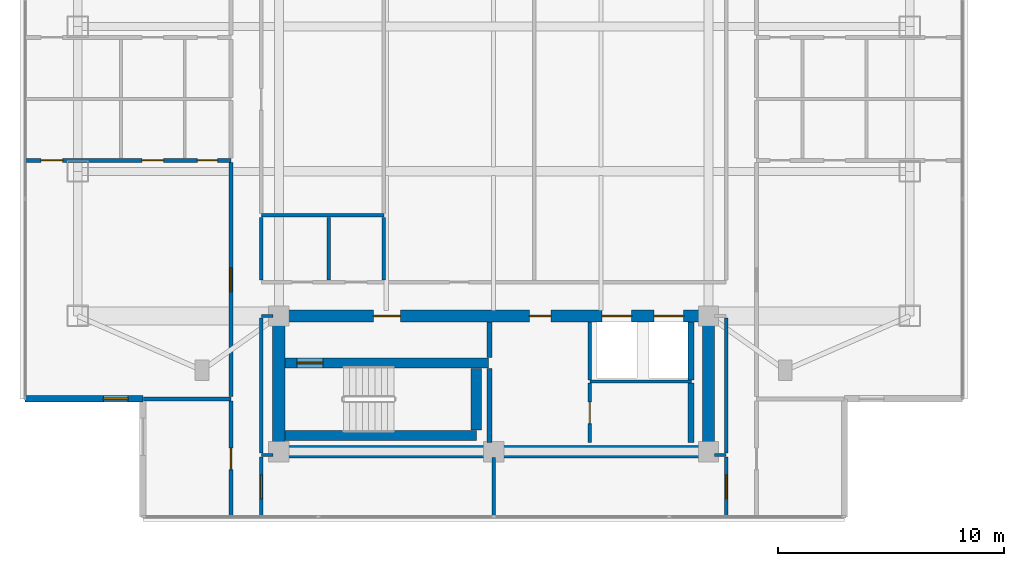
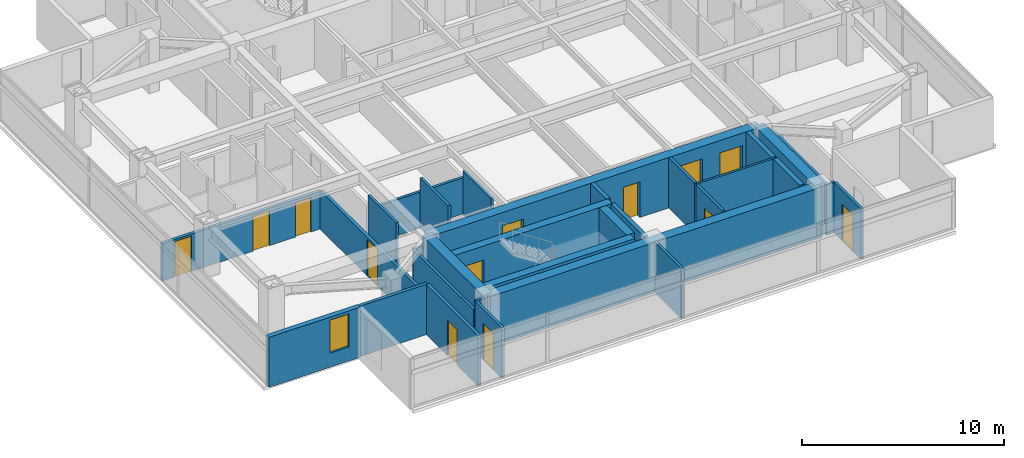
# One storey, part 12 of 24: 31 walls, 13 doors, 1 window, 14 openings.
"""IFC4 building model written with IfcOpenShell, lengths in metres."""

from ifc_helpers import new_model, si_unit, direction, frame, frame_2d, origin, place, context, subcontext, project, spatial, rectangle, extrude, material, layer, layer_set, type_object, element, fill, save


model = new_model("IFC4")

# Units and contexts
model_context = context("Model", 3, precision=1e-05, world=origin(), true_north=direction((0.0, 1.0)))
body_context = subcontext(model_context, "Body", "Model", "MODEL_VIEW")
ifc_project = project(units=[si_unit("LENGTHUNIT", "METRE"), si_unit("AREAUNIT", "SQUARE_METRE"), si_unit("VOLUMEUNIT", "CUBIC_METRE"), si_unit("PLANEANGLEUNIT", "RADIAN"), si_unit("MASSUNIT", "GRAM", prefix="KILO")], contexts=[model_context])

# Site, building, storey
site_placement = place(None, origin())
site = spatial("IfcSite", under=ifc_project, at=site_placement, CompositionType="ELEMENT")
building_placement = place(site_placement, origin())
building = spatial("IfcBuilding", under=site, at=building_placement, Name="Mirazonda Arch Towers", CompositionType="ELEMENT")
storey_placement = place(building_placement, frame((0.0, 0.0, 199.89990234375)))
storey = spatial("IfcBuildingStorey", under=building, at=storey_placement, Name="L57", CompositionType="ELEMENT", Elevation=199.89990234375)

# Wall
ifc_material_1 = material(Name="Concrete C50/60", Category="concrete")
ifc_layer_1 = layer(ifc_material_1, 0.449951171875, Name="WALL-CORE-450")
ifc_layer_set_1 = layer_set([ifc_layer_1], Name="Concrete C50/60")
wall_type_1 = type_object("IfcWallType", Name="WALL-CORE-450", PredefinedType="SHEAR", material=ifc_layer_set_1)
wall_1_placement = place(storey_placement, frame((11.27001953125, 13.1201171875, 0.0), z_axis=(0.0, 0.0, 1.0), x_axis=(1.0, 0.0, 0.0)))
element("IfcWall", 1, at=wall_1_placement, inside=storey, type_object=wall_type_1, Name="L57 Stair Core Shear Wall 003", PredefinedType="SHEAR", context=body_context, shape_type="SweptSolid", body=[
    extrude(rectangle(XDim=8.4599609375, YDim=0.449951171875, at=frame_2d((4.22998046875, 0.0))), origin(), (0.0, 0.0, 1.0), 3.050048828125),
])

# Wall, opening, door
wall_2_placement = place(storey_placement, frame((11.27001953125, 16.320068359375, 0.0), z_axis=(0.0, 0.0, 1.0), x_axis=(1.0, 0.0, 0.0)))
wall_2 = element("IfcWall", 2, at=wall_2_placement, inside=storey, type_object=wall_type_1, Name="L57 Stair Core Shear Wall 007", PredefinedType="SHEAR", context=body_context, shape_type="SweptSolid", body=[
    extrude(rectangle(XDim=9.010009765625, YDim=0.449951171875, at=frame_2d((4.5048828125, 0.0))), origin(), (0.0, 0.0, 1.0), 3.050048828125),
])
opening_1_placement = place(wall_2_placement, frame((0.52001953125, 0.0, 0.0)))
opening_1 = element("IfcOpeningElement", 3, at=opening_1_placement, cuts=wall_2, Name="Opening DR-135", PredefinedType="OPENING", context=body_context, shape_type="SweptSolid", body=[
    extrude(rectangle(XDim=1.14990234375, YDim=2.199951171875, at=frame_2d((0.574951171875, 1.10009765625))), frame((0.0, 0.23486328125, 0.0), z_axis=(0.0, -1.0, 0.0), x_axis=(1.0, 0.0, 0.0)), (0.0, 0.0, 1.0), 0.469970703125),
])
ifc_material_2 = material(Name="Architectural Brushed Steel S355", Category="steel")
door_type_1 = type_object("IfcDoorType", Name="DOOR-STAIR-FD90-1150", OperationType="NOTDEFINED", PredefinedType="DOOR", material=ifc_material_2)
door_1_placement = place(opening_1_placement, origin())
door_1 = element("IfcDoor", 4, at=door_1_placement, inside=storey, type_object=door_type_1, Name="L57 Protected Exit Stair South Door", OperationType="SINGLE_SWING_LEFT", OverallHeight=2.199951171875, OverallWidth=1.14990234375, PredefinedType="DOOR", context=body_context, shape_type="SweptSolid", body=[
    extrude(rectangle(XDim=1.14990234375, YDim=2.199951171875, at=frame_2d((0.574951171875, 1.10009765625))), frame((0.0, 0.02490234375, 0.0), z_axis=(0.0, -1.0, 0.0), x_axis=(1.0, 0.0, 0.0)), (0.0, 0.0, 1.0), 0.050048828125),
])
fill(opening_1, door_1)

# Walls
wall_3_placement = place(storey_placement, frame((19.72998046875, 13.35498046875, 0.0), z_axis=(0.0, 0.0, 1.0), x_axis=(0.0, 1.0, 0.0)))
element("IfcWall", 5, at=wall_3_placement, inside=storey, type_object=wall_type_1, Name="L57 Stair Core Shear Wall 075", PredefinedType="SHEAR", context=body_context, shape_type="SweptSolid", body=[
    extrude(rectangle(XDim=2.72998046875, YDim=0.449951171875, at=frame_2d((1.364990234375, 0.0))), origin(), (0.0, 0.0, 1.0), 3.050048828125),
])
ifc_layer_2 = layer(ifc_material_1, 0.550048828125, Name="WALL-CORE-550")
ifc_layer_set_2 = layer_set([ifc_layer_2], Name="Concrete C50/60")
wall_type_2 = type_object("IfcWallType", Name="WALL-CORE-550", PredefinedType="SHEAR", material=ifc_layer_set_2)
wall_4_placement = place(storey_placement, frame((11.0, 12.39990234375, 0.0), z_axis=(0.0, 0.0, 1.0), x_axis=(1.0, 0.0, 0.0)))
element("IfcWall", 6, at=wall_4_placement, inside=storey, type_object=wall_type_2, Name="L57 T1S-S Core Shear Wall", PredefinedType="SHEAR", context=body_context, shape_type="SweptSolid", body=[
    extrude(rectangle(XDim=19.0, YDim=0.550048828125, at=frame_2d((9.5, 0.0))), origin(), (0.0, 0.0, 1.0), 3.050048828125),
])
for number, where, z_axis, x_axis, name in (
    (7, (11.0, 12.39990234375, 0.0), (0.0, 0.0, 1.0), (0.0, 1.0, 0.0), "L57 T1S-W Core Shear Wall"),
    (8, (30.0, 12.39990234375, 0.0), (0.0, 0.0, 1.0), (0.0, 1.0, 0.0), "L57 T1S-E Core Shear Wall"),
):
    element("IfcWall", number, at=place(storey_placement, frame(where, z_axis=z_axis, x_axis=x_axis)), inside=storey, type_object=wall_type_2, Name=name, PredefinedType="SHEAR", context=body_context, shape_type="SweptSolid", body=[
        extrude(rectangle(XDim=6.0, YDim=0.550048828125, at=frame_2d((3.0, 0.0))), origin(), (0.0, 0.0, 1.0), 3.050048828125),
    ])

# Wall, openings, doors
wall_5_placement = place(storey_placement, frame((11.0, 18.39990234375, 0.0), z_axis=(0.0, 0.0, 1.0), x_axis=(1.0, 0.0, 0.0)))
wall_5 = element("IfcWall", 9, at=wall_5_placement, inside=storey, type_object=wall_type_2, Name="L57 T1S-N Core Shear Wall", PredefinedType="SHEAR", context=body_context, shape_type="SweptSolid", body=[
    extrude(rectangle(XDim=19.0, YDim=0.550048828125, at=frame_2d((9.5, 0.0))), origin(), (0.0, 0.0, 1.0), 3.050048828125),
])
opening_2_placement = place(wall_5_placement, frame((4.175048828125, 0.0, 0.0)))
opening_2 = element("IfcOpeningElement", 10, at=opening_2_placement, cuts=wall_5, Name="Opening DR-117", PredefinedType="OPENING", context=body_context, shape_type="SweptSolid", body=[
    extrude(rectangle(XDim=1.199951171875, YDim=2.25, at=frame_2d((0.60009765625, 1.125))), frame((0.0, 0.284912109375, 0.0), z_axis=(0.0, -1.0, 0.0), x_axis=(1.0, 0.0, 0.0)), (0.0, 0.0, 1.0), 0.570068359375),
])
opening_3_placement = place(wall_5_placement, frame((11.074951171875, 0.0, 0.0)))
opening_3 = element("IfcOpeningElement", 11, at=opening_3_placement, cuts=wall_5, Name="Opening DR-104", PredefinedType="OPENING", context=body_context, shape_type="SweptSolid", body=[
    extrude(rectangle(XDim=0.949951171875, YDim=2.14990234375, at=frame_2d((0.47509765625, 1.074951171875))), frame((0.0, 0.284912109375, 0.0), z_axis=(0.0, -1.0, 0.0), x_axis=(1.0, 0.0, 0.0)), (0.0, 0.0, 1.0), 0.570068359375),
])
opening_4_placement = place(wall_5_placement, frame((14.300048828125, 0.0, 0.0)))
opening_4 = element("IfcOpeningElement", 12, at=opening_4_placement, cuts=wall_5, Name="Opening LD-111", PredefinedType="OPENING", context=body_context, shape_type="SweptSolid", body=[
    extrude(rectangle(XDim=1.300048828125, YDim=2.300048828125, at=frame_2d((0.64990234375, 1.14990234375))), frame((0.0, 0.284912109375, 0.0), z_axis=(0.0, -1.0, 0.0), x_axis=(1.0, 0.0, 0.0)), (0.0, 0.0, 1.0), 0.570068359375),
])
opening_5_placement = place(wall_5_placement, frame((16.60009765625, 0.0, 0.0)))
opening_5 = element("IfcOpeningElement", 13, at=opening_5_placement, cuts=wall_5, Name="Opening LD-111", PredefinedType="OPENING", context=body_context, shape_type="SweptSolid", body=[
    extrude(rectangle(XDim=1.300048828125, YDim=2.300048828125, at=frame_2d((0.64990234375, 1.14990234375))), frame((0.0, 0.284912109375, 0.0), z_axis=(0.0, -1.0, 0.0), x_axis=(1.0, 0.0, 0.0)), (0.0, 0.0, 1.0), 0.570068359375),
])
door_type_2 = type_object("IfcDoorType", Name="DOOR-FFL-FD90-1200", OperationType="NOTDEFINED", PredefinedType="DOOR", material=ifc_material_2)
door_2_placement = place(opening_2_placement, origin())
door_2 = element("IfcDoor", 14, at=door_2_placement, inside=storey, type_object=door_type_2, Name="L57 South Core Stair & Lift Lobby Door", OperationType="SINGLE_SWING_RIGHT", OverallHeight=2.25, OverallWidth=1.199951171875, PredefinedType="DOOR", context=body_context, shape_type="SweptSolid", body=[
    extrude(rectangle(XDim=1.199951171875, YDim=2.25, at=frame_2d((0.60009765625, 1.125))), frame((0.0, 0.02490234375, 0.0), z_axis=(0.0, -1.0, 0.0), x_axis=(1.0, 0.0, 0.0)), (0.0, 0.0, 1.0), 0.050048828125),
])
fill(opening_2, door_2)
door_type_3 = type_object("IfcDoorType", Name="DOOR-LIFT-LAND-1300", OperationType="NOTDEFINED", PredefinedType="DOOR", material=ifc_material_2)
door_3_placement = place(opening_4_placement, origin())
door_3 = element("IfcDoor", 15, at=door_3_placement, inside=storey, type_object=door_type_3, Name="L57 Lift Landing Sliding Door PL-T1H1", OperationType="DOUBLE_DOOR_SLIDING", OverallHeight=2.300048828125, OverallWidth=1.300048828125, PredefinedType="DOOR", context=body_context, shape_type="SweptSolid", body=[
    extrude(rectangle(XDim=1.300048828125, YDim=2.300048828125, at=frame_2d((0.64990234375, 1.14990234375))), frame((0.0, 0.02490234375, 0.0), z_axis=(0.0, -1.0, 0.0), x_axis=(1.0, 0.0, 0.0)), (0.0, 0.0, 1.0), 0.050048828125),
])
fill(opening_4, door_3)
door_4_placement = place(opening_5_placement, origin())
door_4 = element("IfcDoor", 16, at=door_4_placement, inside=storey, type_object=door_type_3, Name="L57 Lift Landing Sliding Door PL-T1H2", OperationType="DOUBLE_DOOR_SLIDING", OverallHeight=2.300048828125, OverallWidth=1.300048828125, PredefinedType="DOOR", context=body_context, shape_type="SweptSolid", body=[
    extrude(rectangle(XDim=1.300048828125, YDim=2.300048828125, at=frame_2d((0.64990234375, 1.14990234375))), frame((0.0, 0.02490234375, 0.0), z_axis=(0.0, -1.0, 0.0), x_axis=(1.0, 0.0, 0.0)), (0.0, 0.0, 1.0), 0.050048828125),
])
fill(opening_5, door_4)
door_type_4 = type_object("IfcDoorType", Name="DOOR-ROOM-950", OperationType="NOTDEFINED", PredefinedType="DOOR", material=ifc_material_2)
door_5_placement = place(opening_3_placement, origin())
door_5 = element("IfcDoor", 17, at=door_5_placement, inside=storey, type_object=door_type_4, Name="L57 Residents Wine Tasting Lounge Door", OperationType="SINGLE_SWING_RIGHT", OverallHeight=2.14990234375, OverallWidth=0.949951171875, PredefinedType="DOOR", context=body_context, shape_type="SweptSolid", body=[
    extrude(rectangle(XDim=0.949951171875, YDim=2.14990234375, at=frame_2d((0.47509765625, 1.074951171875))), frame((0.0, 0.02490234375, 0.0), z_axis=(0.0, -1.0, 0.0), x_axis=(1.0, 0.0, 0.0)), (0.0, 0.0, 1.0), 0.050048828125),
])
fill(opening_3, door_5)

# Wall, opening, window
ifc_material_3 = material(Name="Precast Concrete C40/50", Category="concrete")
ifc_layer_3 = layer(ifc_material_3, 0.280029296875, Name="WALL-EXT-WALL-280")
ifc_layer_set_3 = layer_set([ifc_layer_3], Name="Precast Concrete C40/50")
wall_type_3 = type_object("IfcWallType", Name="WALL-EXT-WALL-280", PredefinedType="SOLIDWALL", material=ifc_layer_set_3)
wall_6_placement = place(storey_placement, frame((-0.22998046875, 14.735107421875, 0.0), z_axis=(0.0, 0.0, 1.0), x_axis=(1.0, 0.0, 0.0)))
wall_6 = element("IfcWall", 18, at=wall_6_placement, inside=storey, type_object=wall_type_3, Name="L57 T1 Corner Notch Return Wall WL-L57-T1-CSW2", PredefinedType="SOLIDWALL", context=body_context, shape_type="SweptSolid", body=[
    extrude(rectangle(XDim=5.215087890625, YDim=0.280029296875, at=frame_2d((2.607421875, 0.0))), origin(), (0.0, 0.0, 1.0), 3.030029296875),
])
opening_6_placement = place(wall_6_placement, frame((3.465087890625, 0.0, 0.85009765625)))
opening_6 = element("IfcOpeningElement", 19, at=opening_6_placement, cuts=wall_6, Name="Opening WN-108", PredefinedType="OPENING", context=body_context, shape_type="SweptSolid", body=[
    extrude(rectangle(XDim=1.10009765625, YDim=2.0, at=frame_2d((0.550048828125, 1.0))), frame((0.0, 0.14990234375, 0.0), z_axis=(0.0, -1.0, 0.0), x_axis=(1.0, 0.0, 0.0)), (0.0, 0.0, 1.0), 0.300048828125),
])
ifc_material_4 = material(Name="Insulated Low-E Solar Glass", Category="glass")
window_type = type_object("IfcWindowType", Name="WIN-NOTCH-1100x2000", PartitioningType="SINGLE_PANEL", PredefinedType="WINDOW", material=ifc_material_4)
window_placement = place(opening_6_placement, origin())
window = element("IfcWindow", 20, at=window_placement, inside=storey, type_object=window_type, Name="L57 Punched Facade Window WN-L57-T1-CSW2", OverallHeight=2.0, OverallWidth=1.10009765625, PartitioningType="SINGLE_PANEL", PredefinedType="WINDOW", context=body_context, shape_type="SweptSolid", body=[
    extrude(rectangle(XDim=1.10009765625, YDim=2.0, at=frame_2d((0.550048828125, 1.0))), frame((0.0, 0.030029296875, 0.0), z_axis=(0.0, -1.0, 0.0), x_axis=(1.0, 0.0, 0.0)), (0.0, 0.0, 1.0), 0.06005859375),
])
fill(opening_6, window)

# Walls
ifc_material_5 = material(Name="Concrete C40/50", Category="concrete")
ifc_layer_4 = layer(ifc_material_5, 0.219970703125, Name="WALL-FFL-220")
ifc_layer_set_4 = layer_set([ifc_layer_4], Name="Concrete C40/50")
wall_type_4 = type_object("IfcWallType", Name="WALL-FFL-220", PredefinedType="SOLIDWALL", material=ifc_layer_set_4)
wall_7_placement = place(storey_placement, frame((20.31494140625, 12.800048828125, 0.0), z_axis=(0.0, 0.0, 1.0), x_axis=(0.0, 1.0, 0.0)))
element("IfcWall", 21, at=wall_7_placement, inside=storey, type_object=wall_type_4, Name="L57 Interior Partition 077", PredefinedType="SOLIDWALL", context=body_context, shape_type="SweptSolid", body=[
    extrude(rectangle(XDim=3.284912109375, YDim=0.219970703125, at=frame_2d((1.642578125, 0.0))), origin(), (0.0, 0.0, 1.0), 3.050048828125),
])
wall_8_placement = place(storey_placement, frame((20.31494140625, 16.554931640625, 0.0), z_axis=(0.0, 0.0, 1.0), x_axis=(0.0, 1.0, 0.0)))
element("IfcWall", 22, at=wall_8_placement, inside=storey, type_object=wall_type_4, Name="L57 Interior Partition 078", PredefinedType="SOLIDWALL", context=body_context, shape_type="SweptSolid", body=[
    extrude(rectangle(XDim=1.574951171875, YDim=0.219970703125, at=frame_2d((0.78759765625, 0.0))), origin(), (0.0, 0.0, 1.0), 3.050048828125),
])
ifc_material_6 = material(Name="Fire-Rated Gypsum Stud Partition")
ifc_layer_5 = layer(ifc_material_6, 0.14990234375, Name="WALL-PART-CORR-150")
ifc_layer_set_5 = layer_set([ifc_layer_5], Name="Fire-Rated Gypsum Stud Partition")
wall_type_5 = type_object("IfcWallType", Name="WALL-PART-CORR-150", PredefinedType="PARTITIONING", material=ifc_layer_set_5)
for number, where, z_axis, x_axis, name in (
    (23, (10.219970703125, 12.25, 0.0), (0.0, 0.0, 1.0), (1.0, 0.0, 0.0), "L57 Interior Partition 001"),
    (24, (30.27001953125, 12.25, 0.0), (0.0, 0.0, 1.0), (1.0, 0.0, 0.0), "L57 Interior Partition 002"),
):
    element("IfcWall", number, at=place(storey_placement, frame(where, z_axis=z_axis, x_axis=x_axis)), inside=storey, type_object=wall_type_5, Name=name, PredefinedType="PARTITIONING", context=body_context, shape_type="SweptSolid", body=[
        extrude(rectangle(XDim=0.510009765625, YDim=0.14990234375, at=frame_2d((0.2548828125, 0.0))), origin(), (0.0, 0.0, 1.0), 3.050048828125),
    ])
wall_9_placement = place(storey_placement, frame((10.219970703125, 18.39990234375, 0.0), z_axis=(0.0, 0.0, 1.0), x_axis=(1.0, 0.0, 0.0)))
element("IfcWall", 25, at=wall_9_placement, inside=storey, type_object=wall_type_5, Name="L57 Interior Partition 011", PredefinedType="PARTITIONING", context=body_context, shape_type="SweptSolid", body=[
    extrude(rectangle(XDim=0.510009765625, YDim=0.14990234375, at=frame_2d((0.2548828125, 0.0))), origin(), (0.0, 0.0, 1.0), 2.442138671875),
])
wall_10_placement = place(storey_placement, frame((10.219970703125, 22.85009765625, 0.0), z_axis=(0.0, 0.0, 1.0), x_axis=(1.0, 0.0, 0.0)))
element("IfcWall", 26, at=wall_10_placement, inside=storey, type_object=wall_type_5, Name="L57 Interior Partition 022", PredefinedType="PARTITIONING", context=body_context, shape_type="SweptSolid", body=[
    extrude(rectangle(XDim=5.419921875, YDim=0.14990234375, at=frame_2d((2.7099609375, 0.0))), origin(), (0.0, 0.0, 1.0), 2.18603515625),
])

# Wall, opening, door
wall_11_placement = place(storey_placement, frame((10.219970703125, 9.52001953125, 0.0), z_axis=(0.0, 0.0, 1.0), x_axis=(0.0, 1.0, 0.0)))
wall_11 = element("IfcWall", 27, at=wall_11_placement, inside=storey, type_object=wall_type_5, Name="L57 Interior Partition 064", PredefinedType="PARTITIONING", context=body_context, shape_type="SweptSolid", body=[
    extrude(rectangle(XDim=2.64501953125, YDim=0.14990234375, at=frame_2d((1.322509765625, 0.0))), origin(), (0.0, 0.0, 1.0), 3.050048828125),
])
opening_7_placement = place(wall_11_placement, frame((0.797607421875, 0.0, 0.0)))
opening_7 = element("IfcOpeningElement", 28, at=opening_7_placement, cuts=wall_11, Name="Opening DR-121", PredefinedType="OPENING", context=body_context, shape_type="SweptSolid", body=[
    extrude(rectangle(XDim=1.050048828125, YDim=2.199951171875, at=frame_2d((0.52490234375, 1.10009765625))), frame((0.0, 0.0849609375, 0.0), z_axis=(0.0, -1.0, 0.0), x_axis=(1.0, 0.0, 0.0)), (0.0, 0.0, 1.0), 0.169921875),
])
door_type_5 = type_object("IfcDoorType", Name="DOOR-SUITE-FD60-1050", OperationType="NOTDEFINED", PredefinedType="DOOR", material=ifc_material_2)
door_6_placement = place(opening_7_placement, origin())
door_6 = element("IfcDoor", 29, at=door_6_placement, inside=storey, type_object=door_type_5, Name="L57 South Panoramic Study West Door", OperationType="SINGLE_SWING_LEFT", OverallHeight=2.199951171875, OverallWidth=1.050048828125, PredefinedType="DOOR", context=body_context, shape_type="SweptSolid", body=[
    extrude(rectangle(XDim=1.050048828125, YDim=2.199951171875, at=frame_2d((0.52490234375, 1.10009765625))), frame((0.0, 0.02490234375, 0.0), z_axis=(0.0, -1.0, 0.0), x_axis=(1.0, 0.0, 0.0)), (0.0, 0.0, 1.0), 0.050048828125),
])
fill(opening_7, door_6)

# Walls
wall_12_placement = place(storey_placement, frame((10.219970703125, 12.3349609375, 0.0), z_axis=(0.0, 0.0, 1.0), x_axis=(0.0, 1.0, 0.0)))
element("IfcWall", 30, at=wall_12_placement, inside=storey, type_object=wall_type_5, Name="L57 Interior Partition 065", PredefinedType="PARTITIONING", context=body_context, shape_type="SweptSolid", body=[
    extrude(rectangle(XDim=5.97998046875, YDim=0.14990234375, at=frame_2d((2.989990234375, 0.0))), origin(), (0.0, 0.0, 1.0), 2.442138671875),
])
for number, where, z_axis, x_axis, name in (
    (31, (10.219970703125, 19.985107421875, 0.0), (0.0, 0.0, 1.0), (0.0, 1.0, 0.0), "L57 Interior Partition 066"),
    (32, (13.199951171875, 19.985107421875, 0.0), (0.0, 0.0, 1.0), (0.0, 1.0, 0.0), "L57 Interior Partition 071"),
):
    element("IfcWall", number, at=place(storey_placement, frame(where, z_axis=z_axis, x_axis=x_axis)), inside=storey, type_object=wall_type_5, Name=name, PredefinedType="PARTITIONING", context=body_context, shape_type="SweptSolid", body=[
        extrude(rectangle(XDim=2.77978515625, YDim=0.14990234375, at=frame_2d((1.389892578125, 0.0))), origin(), (0.0, 0.0, 1.0), 3.050048828125),
    ])
wall_13_placement = place(storey_placement, frame((15.639892578125, 19.985107421875, 0.0), z_axis=(0.0, 0.0, 1.0), x_axis=(0.0, 1.0, 0.0)))
element("IfcWall", 33, at=wall_13_placement, inside=storey, type_object=wall_type_5, Name="L57 Interior Partition 072", PredefinedType="PARTITIONING", context=body_context, shape_type="SweptSolid", body=[
    extrude(rectangle(XDim=2.77978515625, YDim=0.14990234375, at=frame_2d((1.389892578125, 0.0))), origin(), (0.0, 0.0, 1.0), 2.625),
])
wall_14_placement = place(storey_placement, frame((20.5, 9.52001953125, 0.0), z_axis=(0.0, 0.0, 1.0), x_axis=(0.0, 1.0, 0.0)))
element("IfcWall", 34, at=wall_14_placement, inside=storey, type_object=wall_type_5, Name="L57 Interior Partition 080", PredefinedType="PARTITIONING", context=body_context, shape_type="SweptSolid", body=[
    extrude(rectangle(XDim=2.60986328125, YDim=0.14990234375, at=frame_2d((1.304931640625, 0.0))), origin(), (0.0, 0.0, 1.0), 3.050048828125),
])

# Wall, opening, door
wall_15_placement = place(storey_placement, frame((24.75, 12.800048828125, 0.0), z_axis=(0.0, 0.0, 1.0), x_axis=(0.0, 1.0, 0.0)))
wall_15 = element("IfcWall", 35, at=wall_15_placement, inside=storey, type_object=wall_type_5, Name="L57 Interior Partition 083", PredefinedType="PARTITIONING", context=body_context, shape_type="SweptSolid", body=[
    extrude(rectangle(XDim=2.62744140625, YDim=0.14990234375, at=frame_2d((1.313720703125, 0.0))), origin(), (0.0, 0.0, 1.0), 3.050048828125),
])
opening_8_placement = place(wall_15_placement, frame((0.838623046875, 0.0, 0.0)))
opening_8 = element("IfcOpeningElement", 36, at=opening_8_placement, cuts=wall_15, Name="Opening DR-104", PredefinedType="OPENING", context=body_context, shape_type="SweptSolid", body=[
    extrude(rectangle(XDim=0.949951171875, YDim=2.14990234375, at=frame_2d((0.47509765625, 1.074951171875))), frame((0.0, 0.0849609375, 0.0), z_axis=(0.0, -1.0, 0.0), x_axis=(1.0, 0.0, 0.0)), (0.0, 0.0, 1.0), 0.169921875),
])
door_7_placement = place(opening_8_placement, origin())
door_7 = element("IfcDoor", 37, at=door_7_placement, inside=storey, type_object=door_type_4, Name="L57 Residents Private Archive Study Door", OperationType="SINGLE_SWING_LEFT", OverallHeight=2.14990234375, OverallWidth=0.949951171875, PredefinedType="DOOR", context=body_context, shape_type="SweptSolid", body=[
    extrude(rectangle(XDim=0.949951171875, YDim=2.14990234375, at=frame_2d((0.47509765625, 1.074951171875))), frame((0.0, 0.02490234375, 0.0), z_axis=(0.0, -1.0, 0.0), x_axis=(1.0, 0.0, 0.0)), (0.0, 0.0, 1.0), 0.050048828125),
])
fill(opening_8, door_7)

# Wall
wall_16_placement = place(storey_placement, frame((24.75, 15.572509765625, 0.0), z_axis=(0.0, 0.0, 1.0), x_axis=(0.0, 1.0, 0.0)))
element("IfcWall", 38, at=wall_16_placement, inside=storey, type_object=wall_type_5, Name="L57 Interior Partition 084", PredefinedType="PARTITIONING", context=body_context, shape_type="SweptSolid", body=[
    extrude(rectangle(XDim=2.557373046875, YDim=0.14990234375, at=frame_2d((1.27880859375, 0.0))), origin(), (0.0, 0.0, 1.0), 3.050048828125),
])

# Wall, opening, door
wall_17_placement = place(storey_placement, frame((30.780029296875, 9.52001953125, 0.0), z_axis=(0.0, 0.0, 1.0), x_axis=(0.0, 1.0, 0.0)))
wall_17 = element("IfcWall", 39, at=wall_17_placement, inside=storey, type_object=wall_type_5, Name="L57 Interior Partition 092", PredefinedType="PARTITIONING", context=body_context, shape_type="SweptSolid", body=[
    extrude(rectangle(XDim=2.64501953125, YDim=0.14990234375, at=frame_2d((1.322509765625, 0.0))), origin(), (0.0, 0.0, 1.0), 3.050048828125),
])
opening_9_placement = place(wall_17_placement, frame((0.797607421875, 0.0, 0.0)))
opening_9 = element("IfcOpeningElement", 40, at=opening_9_placement, cuts=wall_17, Name="Opening DR-121", PredefinedType="OPENING", context=body_context, shape_type="SweptSolid", body=[
    extrude(rectangle(XDim=1.050048828125, YDim=2.199951171875, at=frame_2d((0.52490234375, 1.10009765625))), frame((0.0, 0.0849609375, 0.0), z_axis=(0.0, -1.0, 0.0), x_axis=(1.0, 0.0, 0.0)), (0.0, 0.0, 1.0), 0.169921875),
])
door_8_placement = place(opening_9_placement, origin())
door_8 = element("IfcDoor", 41, at=door_8_placement, inside=storey, type_object=door_type_5, Name="L57 South Panoramic Study East Door", OperationType="SINGLE_SWING_RIGHT", OverallHeight=2.199951171875, OverallWidth=1.050048828125, PredefinedType="DOOR", context=body_context, shape_type="SweptSolid", body=[
    extrude(rectangle(XDim=1.050048828125, YDim=2.199951171875, at=frame_2d((0.52490234375, 1.10009765625))), frame((0.0, 0.02490234375, 0.0), z_axis=(0.0, -1.0, 0.0), x_axis=(1.0, 0.0, 0.0)), (0.0, 0.0, 1.0), 0.050048828125),
])
fill(opening_9, door_8)

# Walls
wall_18_placement = place(storey_placement, frame((30.780029296875, 12.3349609375, 0.0), z_axis=(0.0, 0.0, 1.0), x_axis=(0.0, 1.0, 0.0)))
element("IfcWall", 42, at=wall_18_placement, inside=storey, type_object=wall_type_5, Name="L57 Interior Partition 093", PredefinedType="PARTITIONING", context=body_context, shape_type="SweptSolid", body=[
    extrude(rectangle(XDim=5.97998046875, YDim=0.14990234375, at=frame_2d((2.989990234375, 0.0))), origin(), (0.0, 0.0, 1.0), 2.442138671875),
])
ifc_material_7 = material(Name="Fire-Rated Gypsum Twin-Stud Assembly")
ifc_layer_6 = layer(ifc_material_7, 0.179931640625, Name="WALL-PART-DEMISE-180")
ifc_layer_set_6 = layer_set([ifc_layer_6], Name="Fire-Rated Gypsum Twin-Stud Assembly")
wall_type_6 = type_object("IfcWallType", Name="WALL-PART-DEMISE-180", PredefinedType="PARTITIONING", material=ifc_layer_set_6)
wall_19_placement = place(storey_placement, frame((5.0048828125, 14.735107421875, 0.0), z_axis=(0.0, 0.0, 1.0), x_axis=(1.0, 0.0, 0.0)))
element("IfcWall", 43, at=wall_19_placement, inside=storey, type_object=wall_type_6, Name="L57 Interior Partition 004", PredefinedType="PARTITIONING", context=body_context, shape_type="SweptSolid", body=[
    extrude(rectangle(XDim=3.875, YDim=0.179931640625, at=frame_2d((1.9375, 0.0))), origin(), (0.0, 0.0, 1.0), 3.050048828125),
])

# Wall, openings, doors
wall_20_placement = place(storey_placement, frame((-0.22998046875, 25.280029296875, 0.0), z_axis=(0.0, 0.0, 1.0), x_axis=(1.0, 0.0, 0.0)))
wall_20 = element("IfcWall", 44, at=wall_20_placement, inside=storey, type_object=wall_type_6, Name="L57 Interior Partition 024", PredefinedType="PARTITIONING", context=body_context, shape_type="SweptSolid", body=[
    extrude(rectangle(XDim=9.10986328125, YDim=0.179931640625, at=frame_2d((4.554931640625, 0.0))), origin(), (0.0, 0.0, 1.0), 2.26904296875),
])
opening_10_placement = place(wall_20_placement, frame((0.716064453125, 0.0, 0.0)))
opening_10 = element("IfcOpeningElement", 45, at=opening_10_placement, cuts=wall_20, Name="Opening DR-104", PredefinedType="OPENING", context=body_context, shape_type="SweptSolid", body=[
    extrude(rectangle(XDim=0.949951171875, YDim=2.14990234375, at=frame_2d((0.47509765625, 1.074951171875))), frame((0.0, 0.099853515625, 0.0), z_axis=(0.0, -1.0, 0.0), x_axis=(1.0, 0.0, 0.0)), (0.0, 0.0, 1.0), 0.199951171875),
])
opening_11_placement = place(wall_20_placement, frame((5.180908203125, 0.0, 0.0)))
opening_11 = element("IfcOpeningElement", 46, at=opening_11_placement, cuts=wall_20, Name="Opening DR-104", PredefinedType="OPENING", context=body_context, shape_type="SweptSolid", body=[
    extrude(rectangle(XDim=0.949951171875, YDim=2.14990234375, at=frame_2d((0.47509765625, 1.074951171875))), frame((0.0, 0.099853515625, 0.0), z_axis=(0.0, -1.0, 0.0), x_axis=(1.0, 0.0, 0.0)), (0.0, 0.0, 1.0), 0.199951171875),
])
opening_12_placement = place(wall_20_placement, frame((7.6201171875, 0.0, 0.0)))
opening_12 = element("IfcOpeningElement", 47, at=opening_12_placement, cuts=wall_20, Name="Opening DR-120", PredefinedType="OPENING", context=body_context, shape_type="SweptSolid", body=[
    extrude(rectangle(XDim=0.89990234375, YDim=2.10009765625, at=frame_2d((0.449951171875, 1.050048828125))), frame((0.0, 0.099853515625, 0.0), z_axis=(0.0, -1.0, 0.0), x_axis=(1.0, 0.0, 0.0)), (0.0, 0.0, 1.0), 0.199951171875),
])
door_9_placement = place(opening_10_placement, origin())
door_9 = element("IfcDoor", 48, at=door_9_placement, inside=storey, type_object=door_type_4, Name="L57 Residence 1 Principal Bedroom Door", OperationType="SINGLE_SWING_RIGHT", OverallHeight=2.14990234375, OverallWidth=0.949951171875, PredefinedType="DOOR", context=body_context, shape_type="SweptSolid", body=[
    extrude(rectangle(XDim=0.949951171875, YDim=2.14990234375, at=frame_2d((0.47509765625, 1.074951171875))), frame((0.0, 0.02490234375, 0.0), z_axis=(0.0, -1.0, 0.0), x_axis=(1.0, 0.0, 0.0)), (0.0, 0.0, 1.0), 0.050048828125),
])
fill(opening_10, door_9)
door_10_placement = place(opening_11_placement, origin())
door_10 = element("IfcDoor", 49, at=door_10_placement, inside=storey, type_object=door_type_4, Name="L57 Residence 1 Fitted Kitchen Door", OperationType="SINGLE_SWING_LEFT", OverallHeight=2.14990234375, OverallWidth=0.949951171875, PredefinedType="DOOR", context=body_context, shape_type="SweptSolid", body=[
    extrude(rectangle(XDim=0.949951171875, YDim=2.14990234375, at=frame_2d((0.47509765625, 1.074951171875))), frame((0.0, 0.02490234375, 0.0), z_axis=(0.0, -1.0, 0.0), x_axis=(1.0, 0.0, 0.0)), (0.0, 0.0, 1.0), 0.050048828125),
])
fill(opening_11, door_10)
door_type_6 = type_object("IfcDoorType", Name="DOOR-WC-900", OperationType="NOTDEFINED", PredefinedType="DOOR", material=ifc_material_2)
door_11_placement = place(opening_12_placement, origin())
door_11 = element("IfcDoor", 50, at=door_11_placement, inside=storey, type_object=door_type_6, Name="L57 Residence 1 Bathroom Door", OperationType="SINGLE_SWING_RIGHT", OverallHeight=2.10009765625, OverallWidth=0.89990234375, PredefinedType="DOOR", context=body_context, shape_type="SweptSolid", body=[
    extrude(rectangle(XDim=0.89990234375, YDim=2.10009765625, at=frame_2d((0.449951171875, 1.050048828125))), frame((0.0, 0.02490234375, 0.0), z_axis=(0.0, -1.0, 0.0), x_axis=(1.0, 0.0, 0.0)), (0.0, 0.0, 1.0), 0.050048828125),
])
fill(opening_12, door_11)

# Wall, opening, door
wall_21_placement = place(storey_placement, frame((8.8798828125, 9.52001953125, 0.0), z_axis=(0.0, 0.0, 1.0), x_axis=(0.0, 1.0, 0.0)))
wall_21 = element("IfcWall", 51, at=wall_21_placement, inside=storey, type_object=wall_type_6, Name="L57 Interior Partition 058", PredefinedType="PARTITIONING", context=body_context, shape_type="SweptSolid", body=[
    extrude(rectangle(XDim=5.114990234375, YDim=0.179931640625, at=frame_2d((2.5576171875, 0.0))), origin(), (0.0, 0.0, 1.0), 3.050048828125),
])
opening_13_placement = place(wall_21_placement, frame((2.08251953125, 0.0, 0.0)))
opening_13 = element("IfcOpeningElement", 52, at=opening_13_placement, cuts=wall_21, Name="Opening DR-104", PredefinedType="OPENING", context=body_context, shape_type="SweptSolid", body=[
    extrude(rectangle(XDim=0.949951171875, YDim=2.14990234375, at=frame_2d((0.47509765625, 1.074951171875))), frame((0.0, 0.099853515625, 0.0), z_axis=(0.0, -1.0, 0.0), x_axis=(1.0, 0.0, 0.0)), (0.0, 0.0, 1.0), 0.199951171875),
])
door_12_placement = place(opening_13_placement, origin())
door_12 = element("IfcDoor", 53, at=door_12_placement, inside=storey, type_object=door_type_4, Name="L57 South Panoramic Study Alcove West Door", OperationType="SINGLE_SWING_LEFT", OverallHeight=2.14990234375, OverallWidth=0.949951171875, PredefinedType="DOOR", context=body_context, shape_type="SweptSolid", body=[
    extrude(rectangle(XDim=0.949951171875, YDim=2.14990234375, at=frame_2d((0.47509765625, 1.074951171875))), frame((0.0, 0.02490234375, 0.0), z_axis=(0.0, -1.0, 0.0), x_axis=(1.0, 0.0, 0.0)), (0.0, 0.0, 1.0), 0.050048828125),
])
fill(opening_13, door_12)

wall_22_placement = place(storey_placement, frame((8.8798828125, 14.8349609375, 0.0), z_axis=(0.0, 0.0, 1.0), x_axis=(0.0, 1.0, 0.0)))
wall_22 = element("IfcWall", 54, at=wall_22_placement, inside=storey, type_object=wall_type_6, Name="L57 Interior Partition 059", PredefinedType="PARTITIONING", context=body_context, shape_type="SweptSolid", body=[
    extrude(rectangle(XDim=10.344970703125, YDim=0.179931640625, at=frame_2d((5.17236328125, 0.0))), origin(), (0.0, 0.0, 1.0), 2.34619140625),
])
opening_14_placement = place(wall_22_placement, frame((4.6474609375, 0.0, 0.0)))
opening_14 = element("IfcOpeningElement", 55, at=opening_14_placement, cuts=wall_22, Name="Opening DR-121", PredefinedType="OPENING", context=body_context, shape_type="SweptSolid", body=[
    extrude(rectangle(XDim=1.050048828125, YDim=2.199951171875, at=frame_2d((0.52490234375, 1.10009765625))), frame((0.0, 0.099853515625, 0.0), z_axis=(0.0, -1.0, 0.0), x_axis=(1.0, 0.0, 0.0)), (0.0, 0.0, 1.0), 0.199951171875),
])
door_13_placement = place(opening_14_placement, origin())
door_13 = element("IfcDoor", 56, at=door_13_placement, inside=storey, type_object=door_type_5, Name="L57 Penthouse Residence 1 Living & Dining Salon Door", OperationType="SINGLE_SWING_LEFT", OverallHeight=2.199951171875, OverallWidth=1.050048828125, PredefinedType="DOOR", context=body_context, shape_type="SweptSolid", body=[
    extrude(rectangle(XDim=1.050048828125, YDim=2.199951171875, at=frame_2d((0.52490234375, 1.10009765625))), frame((0.0, 0.02490234375, 0.0), z_axis=(0.0, -1.0, 0.0), x_axis=(1.0, 0.0, 0.0)), (0.0, 0.0, 1.0), 0.050048828125),
])
fill(opening_14, door_13)

# Walls
ifc_material_8 = material(Name="Acoustic Fire-Rated Gypsum Partition")
ifc_layer_7 = layer(ifc_material_8, 0.125, Name="WALL-PART-UNIT-125")
ifc_layer_set_7 = layer_set([ifc_layer_7], Name="Acoustic Fire-Rated Gypsum Partition")
wall_type_7 = type_object("IfcWallType", Name="WALL-PART-UNIT-125", PredefinedType="PARTITIONING", material=ifc_layer_set_7)
wall_23_placement = place(storey_placement, frame((24.75, 15.5, 0.0), z_axis=(0.0, 0.0, 1.0), x_axis=(1.0, 0.0, 0.0)))
element("IfcWall", 57, at=wall_23_placement, inside=storey, type_object=wall_type_7, Name="L57 Interior Partition 006", PredefinedType="PARTITIONING", context=body_context, shape_type="SweptSolid", body=[
    extrude(rectangle(XDim=4.5, YDim=0.125, at=frame_2d((2.25, 0.0))), origin(), (0.0, 0.0, 1.0), 3.050048828125),
])
ifc_layer_8 = layer(ifc_material_5, 0.25, Name="WALL-SHAFT-250")
ifc_layer_set_8 = layer_set([ifc_layer_8], Name="Concrete C40/50")
wall_type_8 = type_object("IfcWallType", Name="WALL-SHAFT-250", PredefinedType="SOLIDWALL", material=ifc_layer_set_8)
wall_24_placement = place(storey_placement, frame((29.22509765625, 12.800048828125, 0.0), z_axis=(0.0, 0.0, 1.0), x_axis=(0.0, 1.0, 0.0)))
element("IfcWall", 58, at=wall_24_placement, inside=storey, type_object=wall_type_8, Name="L57 Interior Partition 088", PredefinedType="SOLIDWALL", context=body_context, shape_type="SweptSolid", body=[
    extrude(rectangle(XDim=2.62744140625, YDim=0.25, at=frame_2d((1.313720703125, 0.0))), origin(), (0.0, 0.0, 1.0), 3.050048828125),
])
wall_25_placement = place(storey_placement, frame((29.22509765625, 15.572509765625, 0.0), z_axis=(0.0, 0.0, 1.0), x_axis=(0.0, 1.0, 0.0)))
element("IfcWall", 59, at=wall_25_placement, inside=storey, type_object=wall_type_8, Name="L57 Interior Partition 089", PredefinedType="SOLIDWALL", context=body_context, shape_type="SweptSolid", body=[
    extrude(rectangle(XDim=2.557373046875, YDim=0.25, at=frame_2d((1.27880859375, 0.0))), origin(), (0.0, 0.0, 1.0), 3.050048828125),
])

save(model, "model.ifc")
